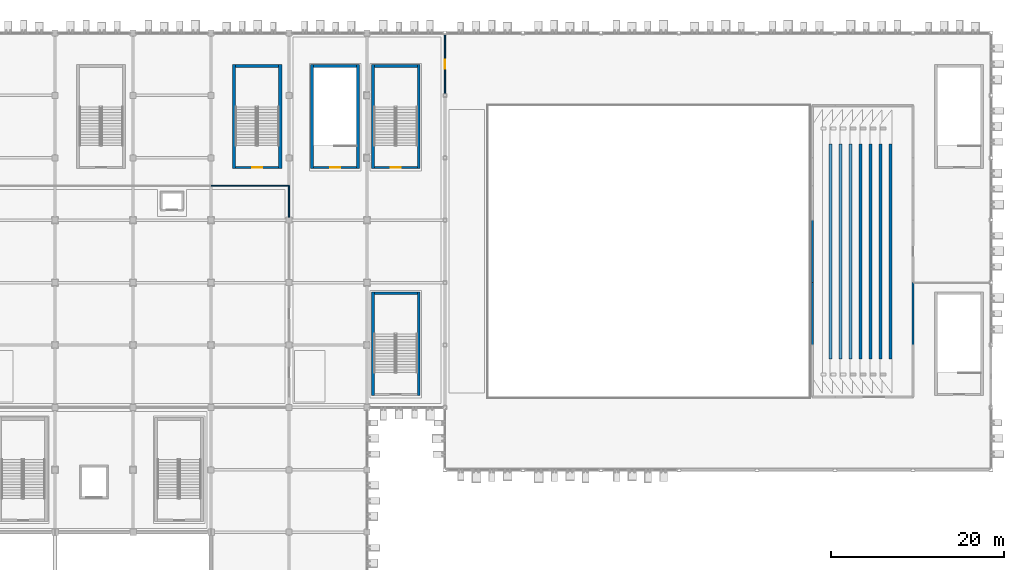
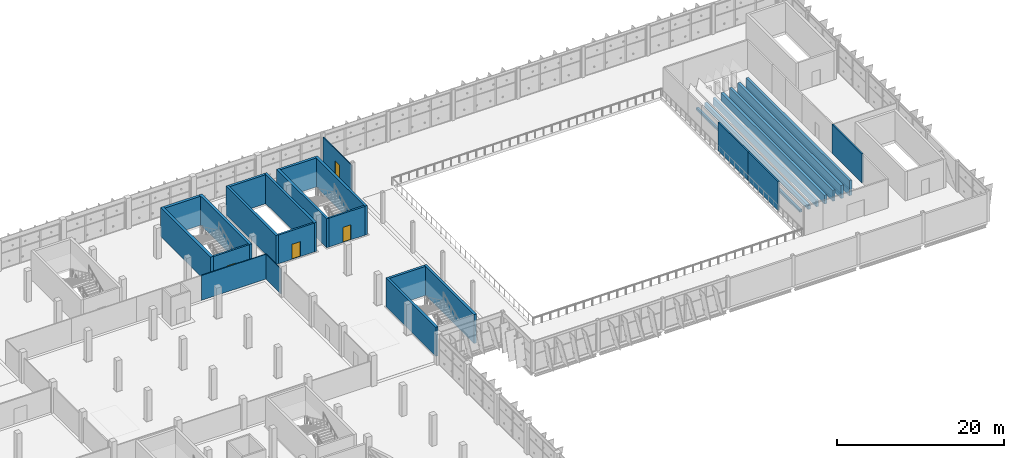
# One storey, part 119 of 151: 28 walls, 4 doors, 4 openings.
"""IFC4 building model written with IfcOpenShell, lengths in metres."""

from ifc_helpers import new_model, si_unit, direction, frame, frame_2d, origin, place, context, subcontext, project, spatial, rectangle, extrude, material, layer, layer_set, type_object, element, fill, save


model = new_model("IFC4")

# Units and contexts
model_context = context("Model", 3, precision=1e-05, world=origin(), true_north=direction((0.0, 1.0)))
body_context = subcontext(model_context, "Body", "Model", "MODEL_VIEW")
ifc_project = project(units=[si_unit("LENGTHUNIT", "METRE"), si_unit("AREAUNIT", "SQUARE_METRE"), si_unit("VOLUMEUNIT", "CUBIC_METRE"), si_unit("PLANEANGLEUNIT", "RADIAN"), si_unit("MASSUNIT", "GRAM", prefix="KILO")], contexts=[model_context])

# Site, building, storey
site_placement = place(None, origin())
site = spatial("IfcSite", under=ifc_project, at=site_placement, CompositionType="ELEMENT")
building_placement = place(site_placement, origin())
building = spatial("IfcBuilding", under=site, at=building_placement, Name="Celestram Park Convention Centre", CompositionType="ELEMENT")
storey_placement = place(building_placement, frame((0.0, 0.0, 10.800048828125)))
storey = spatial("IfcBuildingStorey", under=building, at=storey_placement, Name="L02", CompositionType="ELEMENT", Elevation=10.800048828125)

# Walls
ifc_material_1 = material(Name="Double-Stud Acoustic Gypsum Assembly", Category="gypsum")
ifc_layer_1 = layer(ifc_material_1, 0.199951171875)
ifc_layer_set_1 = layer_set([ifc_layer_1], Name="Double-Stud Acoustic Gypsum Assembly")
wall_type_1 = type_object("IfcWallType", Name="ARC-WL-ACO200", PredefinedType="PARTITIONING", material=ifc_layer_set_1)
for number, where, z_axis, x_axis, name in (
    (1, (195.39990234375, 129.60009765625, 0.0), (0.0, 0.0, 1.0), (0.0, 1.0, 0.0), "Interior partition WL-L02-IN0863"),
    (2, (195.39990234375, 136.800048828125, 0.0), (0.0, 0.0, 1.0), (0.0, 1.0, 0.0), "Interior partition WL-L02-IN0864"),
    (3, (207.0, 129.60009765625, 0.0), (0.0, 0.0, 1.0), (0.0, 1.0, 0.0), "Interior partition WL-L02-IN0874"),
):
    element("IfcWall", number, at=place(storey_placement, frame(where, z_axis=z_axis, x_axis=x_axis)), inside=storey, type_object=wall_type_1, Name=name, PredefinedType="PARTITIONING", context=body_context, shape_type="SweptSolid", body=[
        extrude(rectangle(XDim=7.199951171875, YDim=0.199951171875, at=frame_2d((3.60009765625, 0.0))), origin(), (0.0, 0.0, 1.0), 4.219970703125),
    ])

# Wall, opening, door
ifc_material_2 = material(Name="Concrete Block Masonry C25/30", Category="masonry")
ifc_layer_2 = layer(ifc_material_2, 0.25)
ifc_layer_set_2 = layer_set([ifc_layer_2], Name="Concrete Block Masonry C25/30")
wall_type_2 = type_object("IfcWallType", Name="ARC-WL-COR250", PredefinedType="STANDARD", material=ifc_layer_set_2)
wall_1_placement = place(storey_placement, frame((128.840087890625, 150.074951171875, 0.0), z_axis=(0.0, 0.0, 1.0), x_axis=(1.0, 0.0, 0.0)))
wall_1 = element("IfcWall", 4, at=wall_1_placement, inside=storey, type_object=wall_type_2, Name="Core C5 stair entrance wall", PredefinedType="STANDARD", context=body_context, shape_type="SweptSolid", body=[
    extrude(rectangle(XDim=4.9599609375, YDim=0.25, at=frame_2d((2.47998046875, 0.0))), origin(), (0.0, 0.0, 1.0), 4.219970703125),
])
opening_1_placement = place(wall_1_placement, frame((1.905029296875, 0.0, 0.0)))
opening_1 = element("IfcOpeningElement", 5, at=opening_1_placement, cuts=wall_1, Name="Opening D-ST1", PredefinedType="OPENING", context=body_context, shape_type="SweptSolid", body=[
    extrude(rectangle(XDim=1.14990234375, YDim=2.199951171875, at=frame_2d((0.574951171875, 1.10009765625))), frame((0.0, 0.135009765625, 0.0), z_axis=(0.0, -1.0, 0.0), x_axis=(1.0, 0.0, 0.0)), (0.0, 0.0, 1.0), 0.27001953125),
])
ifc_material_3 = material(Name="Fire-Rated Hollow Metal Steel ASTM A653", Category="steel")
door_type_1 = type_object("IfcDoorType", Name="ARC-DR-ST115", OperationType="NOTDEFINED", PredefinedType="DOOR", material=ifc_material_3)
door_1_placement = place(opening_1_placement, origin())
door_1 = element("IfcDoor", 6, at=door_1_placement, inside=storey, type_object=door_type_1, Name="Exit stair ST-05 fire door", OperationType="SINGLE_SWING_LEFT", OverallHeight=2.199951171875, OverallWidth=1.14990234375, PredefinedType="DOOR", context=body_context, shape_type="SweptSolid", body=[
    extrude(rectangle(XDim=1.14990234375, YDim=2.199951171875, at=frame_2d((0.574951171875, 1.10009765625))), frame((0.0, 0.02490234375, 0.0), z_axis=(0.0, -1.0, 0.0), x_axis=(1.0, 0.0, 0.0)), (0.0, 0.0, 1.0), 0.050048828125),
])
fill(opening_1, door_1)

wall_2_placement = place(storey_placement, frame((144.840087890625, 150.074951171875, 0.0), z_axis=(0.0, 0.0, 1.0), x_axis=(1.0, 0.0, 0.0)))
wall_2 = element("IfcWall", 7, at=wall_2_placement, inside=storey, type_object=wall_type_2, Name="Core S09 stair entrance wall", PredefinedType="STANDARD", context=body_context, shape_type="SweptSolid", body=[
    extrude(rectangle(XDim=4.9599609375, YDim=0.25, at=frame_2d((2.47998046875, 0.0))), origin(), (0.0, 0.0, 1.0), 4.219970703125),
])
opening_2_placement = place(wall_2_placement, frame((1.905029296875, 0.0, 0.0)))
opening_2 = element("IfcOpeningElement", 8, at=opening_2_placement, cuts=wall_2, Name="Opening D-ST1", PredefinedType="OPENING", context=body_context, shape_type="SweptSolid", body=[
    extrude(rectangle(XDim=1.14990234375, YDim=2.199951171875, at=frame_2d((0.574951171875, 1.10009765625))), frame((0.0, 0.135009765625, 0.0), z_axis=(0.0, -1.0, 0.0), x_axis=(1.0, 0.0, 0.0)), (0.0, 0.0, 1.0), 0.27001953125),
])
door_2_placement = place(opening_2_placement, origin())
door_2 = element("IfcDoor", 9, at=door_2_placement, inside=storey, type_object=door_type_1, Name="Exit stair ST-09 fire door", OperationType="SINGLE_SWING_LEFT", OverallHeight=2.199951171875, OverallWidth=1.14990234375, PredefinedType="DOOR", context=body_context, shape_type="SweptSolid", body=[
    extrude(rectangle(XDim=1.14990234375, YDim=2.199951171875, at=frame_2d((0.574951171875, 1.10009765625))), frame((0.0, 0.02490234375, 0.0), z_axis=(0.0, -1.0, 0.0), x_axis=(1.0, 0.0, 0.0)), (0.0, 0.0, 1.0), 0.050048828125),
])
fill(opening_2, door_2)

wall_3_placement = place(storey_placement, frame((137.840087890625, 150.074951171875, 0.0), z_axis=(0.0, 0.0, 1.0), x_axis=(1.0, 0.0, 0.0)))
wall_3 = element("IfcWall", 10, at=wall_3_placement, inside=storey, type_object=wall_type_2, Name="Core S22 stair entrance wall", PredefinedType="STANDARD", context=body_context, shape_type="SweptSolid", body=[
    extrude(rectangle(XDim=4.9599609375, YDim=0.25, at=frame_2d((2.47998046875, 0.0))), origin(), (0.0, 0.0, 1.0), 4.219970703125),
])
opening_3_placement = place(wall_3_placement, frame((1.905029296875, 0.0, 0.0)))
opening_3 = element("IfcOpeningElement", 11, at=opening_3_placement, cuts=wall_3, Name="Opening D-ST1", PredefinedType="OPENING", context=body_context, shape_type="SweptSolid", body=[
    extrude(rectangle(XDim=1.14990234375, YDim=2.199951171875, at=frame_2d((0.574951171875, 1.10009765625))), frame((0.0, 0.135009765625, 0.0), z_axis=(0.0, -1.0, 0.0), x_axis=(1.0, 0.0, 0.0)), (0.0, 0.0, 1.0), 0.27001953125),
])
door_3_placement = place(opening_3_placement, origin())
door_3 = element("IfcDoor", 12, at=door_3_placement, inside=storey, type_object=door_type_1, Name="Exit stair ST-22 fire door", OperationType="SINGLE_SWING_LEFT", OverallHeight=2.199951171875, OverallWidth=1.14990234375, PredefinedType="DOOR", context=body_context, shape_type="SweptSolid", body=[
    extrude(rectangle(XDim=1.14990234375, YDim=2.199951171875, at=frame_2d((0.574951171875, 1.10009765625))), frame((0.0, 0.02490234375, 0.0), z_axis=(0.0, -1.0, 0.0), x_axis=(1.0, 0.0, 0.0)), (0.0, 0.0, 1.0), 0.050048828125),
])
fill(opening_3, door_3)

# Walls
ifc_material_4 = material(Name="Standard Gypsum & Steel Stud 120 mm", Category="steel")
ifc_layer_3 = layer(ifc_material_4, 0.1201171875)
ifc_layer_set_3 = layer_set([ifc_layer_3], Name="Standard Gypsum & Steel Stud 120 mm")
wall_type_3 = type_object("IfcWallType", Name="ARC-WL-PRT120", PredefinedType="PARTITIONING", material=ifc_layer_set_3)
wall_4_placement = place(storey_placement, frame((126.0, 148.0, 0.0), z_axis=(0.0, 0.0, 1.0), x_axis=(1.0, 0.0, 0.0)))
element("IfcWall", 13, at=wall_4_placement, inside=storey, type_object=wall_type_3, Name="Interior partition WL-L02-IN0828", PredefinedType="PARTITIONING", context=body_context, shape_type="SweptSolid", body=[
    extrude(rectangle(XDim=9.0, YDim=0.1201171875, at=frame_2d((4.5, 0.0))), origin(), (0.0, 0.0, 1.0), 3.637939453125),
])
wall_5_placement = place(storey_placement, frame((135.0, 144.347900390625, 0.0), z_axis=(0.0, 0.0, 1.0), x_axis=(0.0, 1.0, 0.0)))
element("IfcWall", 14, at=wall_5_placement, inside=storey, type_object=wall_type_3, Name="Interior partition WL-L02-IN0855", PredefinedType="PARTITIONING", context=body_context, shape_type="SweptSolid", body=[
    extrude(rectangle(XDim=3.652099609375, YDim=0.1201171875, at=frame_2d((1.826171875, 0.0))), origin(), (0.0, 0.0, 1.0), 3.637939453125),
])

# Wall, opening, door
wall_6_placement = place(storey_placement, frame((153.0, 158.597900390625, 0.0), z_axis=(0.0, 0.0, 1.0), x_axis=(0.0, 1.0, 0.0)))
wall_6 = element("IfcWall", 15, at=wall_6_placement, inside=storey, type_object=wall_type_3, Name="Interior partition WL-L02-IN0856", PredefinedType="PARTITIONING", context=body_context, shape_type="SweptSolid", body=[
    extrude(rectangle(XDim=6.80419921875, YDim=0.1201171875, at=frame_2d((3.402099609375, 0.0))), origin(), (0.0, 0.0, 1.0), 3.89404296875),
])
opening_4_placement = place(wall_6_placement, frame((2.876953125, 0.0, 0.0)))
opening_4 = element("IfcOpeningElement", 16, at=opening_4_placement, cuts=wall_6, Name="Opening D-06", PredefinedType="OPENING", context=body_context, shape_type="SweptSolid", body=[
    extrude(rectangle(XDim=1.050048828125, YDim=2.14990234375, at=frame_2d((0.52490234375, 1.074951171875))), frame((0.0, 0.070068359375, 0.0), z_axis=(0.0, -1.0, 0.0), x_axis=(1.0, 0.0, 0.0)), (0.0, 0.0, 1.0), 0.14013671875),
])
ifc_material_5 = material(Name="Solid Core White Oak Single Door", Category="wood")
door_type_2 = type_object("IfcDoorType", Name="ARC-DR-RM105", OperationType="NOTDEFINED", PredefinedType="DOOR", material=ifc_material_5)
door_4_placement = place(opening_4_placement, origin())
door_4 = element("IfcDoor", 17, at=door_4_placement, inside=storey, type_object=door_type_2, Name="Plenary Vomitory V-04 entrance door", OperationType="SINGLE_SWING_RIGHT", OverallHeight=2.14990234375, OverallWidth=1.050048828125, PredefinedType="DOOR", context=body_context, shape_type="SweptSolid", body=[
    extrude(rectangle(XDim=1.050048828125, YDim=2.14990234375, at=frame_2d((0.52490234375, 1.074951171875))), frame((0.0, 0.02490234375, 0.0), z_axis=(0.0, -1.0, 0.0), x_axis=(1.0, 0.0, 0.0)), (0.0, 0.0, 1.0), 0.050048828125),
])
fill(opening_4, door_4)

# Walls
ifc_material_6 = material(Name="Concrete C40/50", Category="concrete")
ifc_layer_4 = layer(ifc_material_6, 0.340087890625)
ifc_layer_set_4 = layer_set([ifc_layer_4], Name="Concrete C40/50")
wall_type_4 = type_object("IfcWallType", Name="STR-WL-SHR340", PredefinedType="SHEAR", material=ifc_layer_set_4)
wall_7_placement = place(storey_placement, frame((197.5, 128.0, 0.0), z_axis=(0.0, 0.0, 1.0), x_axis=(0.0, 1.0, 0.0)))
element("IfcWall", 18, at=wall_7_placement, inside=storey, type_object=wall_type_4, Name="Plenary balcony raker wall 2F", PredefinedType="SHEAR", context=body_context, shape_type="SweptSolid", body=[
    extrude(rectangle(XDim=24.800048828125, YDim=0.340087890625, at=frame_2d((12.39990234375, 0.0))), origin(), (0.0, 0.0, 1.0), 0.320068359375),
])
wall_8_placement = place(storey_placement, frame((198.64990234375, 128.0, 0.0), z_axis=(0.0, 0.0, 1.0), x_axis=(0.0, 1.0, 0.0)))
element("IfcWall", 19, at=wall_8_placement, inside=storey, type_object=wall_type_4, Name="Plenary balcony raker wall 3F", PredefinedType="SHEAR", context=body_context, shape_type="SweptSolid", body=[
    extrude(rectangle(XDim=24.800048828125, YDim=0.340087890625, at=frame_2d((12.39990234375, 0.0))), origin(), (0.0, 0.0, 1.0), 0.639892578125),
])
wall_9_placement = place(storey_placement, frame((199.800048828125, 128.0, 0.0), z_axis=(0.0, 0.0, 1.0), x_axis=(0.0, 1.0, 0.0)))
element("IfcWall", 20, at=wall_9_placement, inside=storey, type_object=wall_type_4, Name="Plenary balcony raker wall 4F", PredefinedType="SHEAR", context=body_context, shape_type="SweptSolid", body=[
    extrude(rectangle(XDim=24.800048828125, YDim=0.340087890625, at=frame_2d((12.39990234375, 0.0))), origin(), (0.0, 0.0, 1.0), 0.9599609375),
])
wall_10_placement = place(storey_placement, frame((200.949951171875, 128.0, 0.0), z_axis=(0.0, 0.0, 1.0), x_axis=(0.0, 1.0, 0.0)))
element("IfcWall", 21, at=wall_10_placement, inside=storey, type_object=wall_type_4, Name="Plenary balcony raker wall 5F", PredefinedType="SHEAR", context=body_context, shape_type="SweptSolid", body=[
    extrude(rectangle(XDim=24.800048828125, YDim=0.340087890625, at=frame_2d((12.39990234375, 0.0))), origin(), (0.0, 0.0, 1.0), 1.280029296875),
])
wall_11_placement = place(storey_placement, frame((202.10009765625, 128.0, 0.0), z_axis=(0.0, 0.0, 1.0), x_axis=(0.0, 1.0, 0.0)))
element("IfcWall", 22, at=wall_11_placement, inside=storey, type_object=wall_type_4, Name="Plenary balcony raker wall 6F", PredefinedType="SHEAR", context=body_context, shape_type="SweptSolid", body=[
    extrude(rectangle(XDim=24.800048828125, YDim=0.340087890625, at=frame_2d((12.39990234375, 0.0))), origin(), (0.0, 0.0, 1.0), 1.599853515625),
])
wall_12_placement = place(storey_placement, frame((203.25, 128.0, 0.0), z_axis=(0.0, 0.0, 1.0), x_axis=(0.0, 1.0, 0.0)))
element("IfcWall", 23, at=wall_12_placement, inside=storey, type_object=wall_type_4, Name="Plenary balcony raker wall 7F", PredefinedType="SHEAR", context=body_context, shape_type="SweptSolid", body=[
    extrude(rectangle(XDim=24.800048828125, YDim=0.340087890625, at=frame_2d((12.39990234375, 0.0))), origin(), (0.0, 0.0, 1.0), 1.919921875),
])
wall_13_placement = place(storey_placement, frame((204.39990234375, 128.0, 0.0), z_axis=(0.0, 0.0, 1.0), x_axis=(0.0, 1.0, 0.0)))
element("IfcWall", 24, at=wall_13_placement, inside=storey, type_object=wall_type_4, Name="Plenary balcony raker wall 8F", PredefinedType="SHEAR", context=body_context, shape_type="SweptSolid", body=[
    extrude(rectangle(XDim=24.800048828125, YDim=0.340087890625, at=frame_2d((12.39990234375, 0.0))), origin(), (0.0, 0.0, 1.0), 2.239990234375),
])
for number, where, z_axis, x_axis, name in (
    (25, (144.669921875, 149.949951171875, 0.0), (0.0, 0.0, 1.0), (0.0, 1.0, 0.0), "Core S09 shear wall L"),
    (26, (149.969970703125, 161.93994140625, 0.0), (0.0, 0.0, 1.0), (0.0, -1.0, 0.0), "Core S09 shear wall R"),
):
    element("IfcWall", number, at=place(storey_placement, frame(where, z_axis=z_axis, x_axis=x_axis)), inside=storey, type_object=wall_type_4, Name=name, PredefinedType="SHEAR", context=body_context, shape_type="SweptSolid", body=[
        extrude(rectangle(XDim=11.989990234375, YDim=0.340087890625, at=frame_2d((5.9951171875, 0.0))), origin(), (0.0, 0.0, 1.0), 4.25),
    ])
wall_14_placement = place(storey_placement, frame((144.840087890625, 161.77001953125, 0.0), z_axis=(0.0, 0.0, 1.0), x_axis=(1.0, 0.0, 0.0)))
element("IfcWall", 27, at=wall_14_placement, inside=storey, type_object=wall_type_4, Name="Core S09 shear wall F", PredefinedType="SHEAR", context=body_context, shape_type="SweptSolid", body=[
    extrude(rectangle(XDim=4.9599609375, YDim=0.340087890625, at=frame_2d((2.47998046875, 0.0))), origin(), (0.0, 0.0, 1.0), 4.25),
])
for number, where, z_axis, x_axis, name in (
    (28, (144.669921875, 123.75, 0.0), (0.0, 0.0, 1.0), (0.0, 1.0, 0.0), "Core S10 shear wall L"),
    (29, (149.969970703125, 135.739990234375, 0.0), (0.0, 0.0, 1.0), (0.0, -1.0, 0.0), "Core S10 shear wall R"),
):
    element("IfcWall", number, at=place(storey_placement, frame(where, z_axis=z_axis, x_axis=x_axis)), inside=storey, type_object=wall_type_4, Name=name, PredefinedType="SHEAR", context=body_context, shape_type="SweptSolid", body=[
        extrude(rectangle(XDim=11.989990234375, YDim=0.340087890625, at=frame_2d((5.9951171875, 0.0))), origin(), (0.0, 0.0, 1.0), 4.25),
    ])
wall_15_placement = place(storey_placement, frame((144.840087890625, 135.570068359375, 0.0), z_axis=(0.0, 0.0, 1.0), x_axis=(1.0, 0.0, 0.0)))
element("IfcWall", 30, at=wall_15_placement, inside=storey, type_object=wall_type_4, Name="Core S10 shear wall F", PredefinedType="SHEAR", context=body_context, shape_type="SweptSolid", body=[
    extrude(rectangle(XDim=4.9599609375, YDim=0.340087890625, at=frame_2d((2.47998046875, 0.0))), origin(), (0.0, 0.0, 1.0), 4.25),
])
for number, where, z_axis, x_axis, name in (
    (31, (137.669921875, 149.949951171875, 0.0), (0.0, 0.0, 1.0), (0.0, 1.0, 0.0), "Core S22 shear wall L"),
    (32, (142.969970703125, 161.93994140625, 0.0), (0.0, 0.0, 1.0), (0.0, -1.0, 0.0), "Core S22 shear wall R"),
):
    element("IfcWall", number, at=place(storey_placement, frame(where, z_axis=z_axis, x_axis=x_axis)), inside=storey, type_object=wall_type_4, Name=name, PredefinedType="SHEAR", context=body_context, shape_type="SweptSolid", body=[
        extrude(rectangle(XDim=11.989990234375, YDim=0.340087890625, at=frame_2d((5.9951171875, 0.0))), origin(), (0.0, 0.0, 1.0), 4.25),
    ])
wall_16_placement = place(storey_placement, frame((137.840087890625, 161.77001953125, 0.0), z_axis=(0.0, 0.0, 1.0), x_axis=(1.0, 0.0, 0.0)))
element("IfcWall", 33, at=wall_16_placement, inside=storey, type_object=wall_type_4, Name="Core S22 shear wall F", PredefinedType="SHEAR", context=body_context, shape_type="SweptSolid", body=[
    extrude(rectangle(XDim=4.9599609375, YDim=0.340087890625, at=frame_2d((2.47998046875, 0.0))), origin(), (0.0, 0.0, 1.0), 4.25),
])
ifc_layer_5 = layer(ifc_material_6, 0.3798828125)
ifc_layer_set_5 = layer_set([ifc_layer_5], Name="Concrete C40/50")
wall_type_5 = type_object("IfcWallType", Name="STR-WL-SHR380", PredefinedType="SHEAR", material=ifc_layer_set_5)
for number, where, z_axis, x_axis, name in (
    (34, (128.64990234375, 149.949951171875, 0.0), (0.0, 0.0, 1.0), (0.0, 1.0, 0.0), "Core C5 shear wall L"),
    (35, (133.989990234375, 161.97998046875, 0.0), (0.0, 0.0, 1.0), (0.0, -1.0, 0.0), "Core C5 shear wall R"),
):
    element("IfcWall", number, at=place(storey_placement, frame(where, z_axis=z_axis, x_axis=x_axis)), inside=storey, type_object=wall_type_5, Name=name, PredefinedType="SHEAR", context=body_context, shape_type="SweptSolid", body=[
        extrude(rectangle(XDim=12.030029296875, YDim=0.3798828125, at=frame_2d((6.01513671875, 0.0))), origin(), (0.0, 0.0, 1.0), 4.25),
    ])
wall_17_placement = place(storey_placement, frame((128.840087890625, 161.7900390625, 0.0), z_axis=(0.0, 0.0, 1.0), x_axis=(1.0, 0.0, 0.0)))
element("IfcWall", 36, at=wall_17_placement, inside=storey, type_object=wall_type_5, Name="Core C5 shear wall F", PredefinedType="SHEAR", context=body_context, shape_type="SweptSolid", body=[
    extrude(rectangle(XDim=4.9599609375, YDim=0.3798828125, at=frame_2d((2.47998046875, 0.0))), origin(), (0.0, 0.0, 1.0), 4.25),
])

save(model, "model.ifc")
